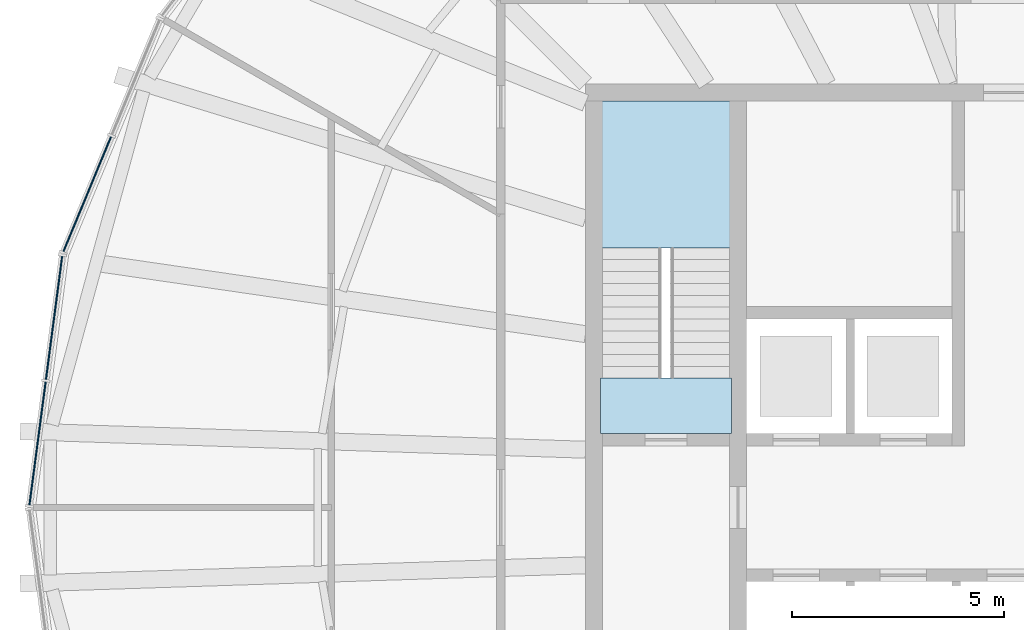
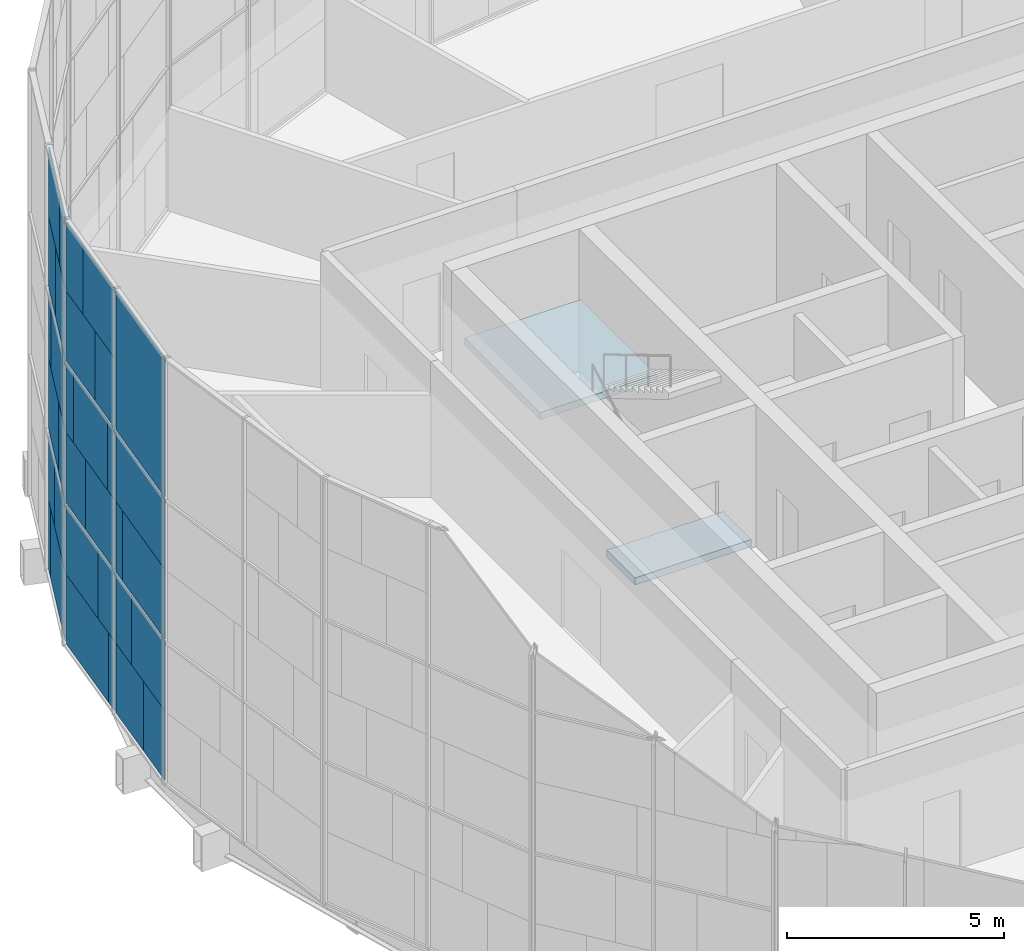
# One storey, part 12 of 23: 34 plates, 2 slabs, 3 elements without a shape of their own.
"""IFC4 building model written with IfcOpenShell, lengths in metres."""

from ifc_helpers import new_model, si_unit, direction, frame, origin, origin_2d, place, context, subcontext, project, spatial, polyline, rectangle, outline, extrude, material, layer, layer_set, type_object, element, aggregate, save


model = new_model("IFC4")

# Units and contexts
model_context = context("Model", 3, precision=1e-05, world=origin(), true_north=direction((0.0, 1.0)))
body_context = subcontext(model_context, "Body", "Model", "MODEL_VIEW")
ifc_project = project(units=[si_unit("LENGTHUNIT", "METRE"), si_unit("AREAUNIT", "SQUARE_METRE"), si_unit("VOLUMEUNIT", "CUBIC_METRE"), si_unit("PLANEANGLEUNIT", "RADIAN"), si_unit("MASSUNIT", "GRAM", prefix="KILO")], contexts=[model_context])

# Site, building, storey
site_placement = place(None, origin())
site = spatial("IfcSite", under=ifc_project, at=site_placement, CompositionType="ELEMENT")
building_placement = place(site_placement, origin())
building = spatial("IfcBuilding", under=site, at=building_placement, Name="Golbaran Civic Tower", CompositionType="ELEMENT")
storey_placement = place(building_placement, frame((0.0, 0.0, 220.0)))
storey = spatial("IfcBuildingStorey", under=building, at=storey_placement, Name="L53", CompositionType="ELEMENT", Elevation=220.0)

# Curtain wall, plates
ifc_material_1 = material(Name="Aluminium and glass", Category="aluminium")
curtain_wall_type = type_object("IfcCurtainWallType", Name="INNER SKIN CURTAIN WALL EXECUTIVE", PredefinedType="NOTDEFINED", material=ifc_material_1)
curtain_wall_1_placement = place(storey_placement, origin())
curtain_wall_1 = element("IfcCurtainWall", 1, at=curtain_wall_1_placement, inside=storey, type_object=curtain_wall_type, Name="Inner skin L53 facet 11 CW2", ObjectType="INNER SKIN", PredefinedType="USERDEFINED")
ifc_material_2 = material(Name="Clear insulating glass", Category="glass")
ifc_layer_1 = layer(ifc_material_2, 0.031982421875, Name="Clear insulating glass")
ifc_layer_set_1 = layer_set([ifc_layer_1], Name="Clear insulating glass")
plate_type_1 = type_object("IfcPlateType", Name="INNER SKIN CURTAIN WALL EXECUTIVE GLAZED PANEL", PredefinedType="CURTAIN_PANEL", material=ifc_layer_set_1)
plate_1_placement = place(storey_placement, frame((-21.8388671875, 7.21142578125, 0.06005859375), z_axis=(0.0, 0.0, 1.0), x_axis=(-0.382683432317, -0.923879532531, 0.0)))
plate_1 = element("IfcPlate", 2, at=plate_1_placement, type_object=plate_type_1, Name="CW2 panel 2.1 part 2", PredefinedType="CURTAIN_PANEL", context=body_context, shape_type="SweptSolid", body=[
    extrude(rectangle(XDim=2.529541015625, YDim=0.031982421875, at=origin_2d()), origin(), (0.0, 0.0, 1.0), 1.955078125),
])
plate_2_placement = place(storey_placement, frame((-21.961181640625, 6.915771484375, 2.014892578125), z_axis=(0.0, 0.0, 1.0), x_axis=(-0.382683432317, -0.923879532531, 0.0)))
plate_2 = element("IfcPlate", 3, at=plate_2_placement, type_object=plate_type_1, Name="CW2 panel 2.1 part 4", PredefinedType="CURTAIN_PANEL", context=body_context, shape_type="SweptSolid", body=[
    extrude(rectangle(XDim=1.8896484375, YDim=0.031982421875, at=origin_2d()), origin(), (0.0, 0.0, 1.0), 1.955078125),
])
plate_3_placement = place(storey_placement, frame((-22.104736328125, 6.5693359375, 4.02978515625), z_axis=(0.0, 0.0, 1.0), x_axis=(-0.382683432317, -0.923879532531, 0.0)))
plate_3 = element("IfcPlate", 4, at=plate_3_placement, type_object=plate_type_1, Name="CW2 panel 2.2 part 2", PredefinedType="CURTAIN_PANEL", context=body_context, shape_type="SweptSolid", body=[
    extrude(rectangle(XDim=1.1396484375, YDim=0.031982421875, at=origin_2d()), origin(), (0.0, 0.0, 1.0), 1.969970703125),
])
plate_4_placement = place(storey_placement, frame((-21.29150390625, 8.532958984375, 6.0), z_axis=(0.0, 0.0, 1.0), x_axis=(-0.382683432317, -0.923879532531, 0.0)))
plate_4 = element("IfcPlate", 5, at=plate_4_placement, type_object=plate_type_1, Name="CW2 panel 2.2 part 3", PredefinedType="CURTAIN_PANEL", context=body_context, shape_type="SweptSolid", body=[
    extrude(rectangle(XDim=0.468994140625, YDim=0.031982421875, at=origin_2d()), origin(), (0.0, 0.0, 1.0), 1.969970703125),
])
plate_5_placement = place(storey_placement, frame((-22.243896484375, 6.233154296875, 6.0), z_axis=(0.0, 0.0, 1.0), x_axis=(-0.382683432317, -0.923879532531, 0.0)))
plate_5 = element("IfcPlate", 6, at=plate_5_placement, type_object=plate_type_1, Name="CW2 panel 2.2 part 5", PredefinedType="CURTAIN_PANEL", context=body_context, shape_type="SweptSolid", body=[
    extrude(rectangle(XDim=0.41162109375, YDim=0.031982421875, at=origin_2d()), origin(), (0.0, 0.0, 1.0), 1.969970703125),
])
plate_6_placement = place(storey_placement, frame((-21.434814453125, 8.1865234375, 8.030029296875), z_axis=(0.0, 0.0, 1.0), x_axis=(-0.382683432317, -0.923879532531, 0.0)))
plate_6 = element("IfcPlate", 7, at=plate_6_placement, type_object=plate_type_1, Name="CW2 panel 2.3 part 1", PredefinedType="CURTAIN_PANEL", context=body_context, shape_type="SweptSolid", body=[
    extrude(rectangle(XDim=1.218994140625, YDim=0.031982421875, at=origin_2d()), origin(), (0.0, 0.0, 1.0), 1.955078125),
])
plate_7_placement = place(storey_placement, frame((-21.572998046875, 7.85302734375, 9.98486328125), z_axis=(0.0, 0.0, 1.0), x_axis=(-0.382683432317, -0.923879532531, 0.0)))
plate_7 = element("IfcPlate", 8, at=plate_7_placement, type_object=plate_type_1, Name="CW2 panel 2.3 part 3", PredefinedType="CURTAIN_PANEL", context=body_context, shape_type="SweptSolid", body=[
    extrude(rectangle(XDim=1.94091796875, YDim=0.031982421875, at=origin_2d()), origin(), (0.0, 0.0, 1.0), 1.955078125),
])

curtain_wall_2_placement = place(storey_placement, origin())
curtain_wall_2 = element("IfcCurtainWall", 9, at=curtain_wall_2_placement, inside=storey, type_object=curtain_wall_type, Name="Inner skin L53 facet 12 CW2", ObjectType="INNER SKIN", PredefinedType="USERDEFINED")
plate_8_placement = place(storey_placement, frame((-22.5185546875, 4.6748046875, 0.06005859375), z_axis=(0.0, 0.0, 1.0), x_axis=(-0.130526192289, -0.991444861365, 0.0)))
plate_8 = element("IfcPlate", 10, at=plate_8_placement, type_object=plate_type_1, Name="CW2 panel 1.1 part 1", PredefinedType="CURTAIN_PANEL", context=body_context, shape_type="SweptSolid", body=[
    extrude(rectangle(XDim=2.528076171875, YDim=0.031982421875, at=origin_2d()), origin(), (0.0, 0.0, 1.0), 1.955078125),
])
plate_9_placement = place(storey_placement, frame((-22.476806640625, 4.99169921875, 2.014892578125), z_axis=(0.0, 0.0, 1.0), x_axis=(-0.130526192289, -0.991444861365, 0.0)))
plate_9 = element("IfcPlate", 11, at=plate_9_placement, type_object=plate_type_1, Name="CW2 panel 1.1 part 3", PredefinedType="CURTAIN_PANEL", context=body_context, shape_type="SweptSolid", body=[
    extrude(rectangle(XDim=1.888916015625, YDim=0.031982421875, at=origin_2d()), origin(), (0.0, 0.0, 1.0), 1.955078125),
])
plate_10_placement = place(storey_placement, frame((-22.427978515625, 5.363525390625, 4.02978515625), z_axis=(0.0, 0.0, 1.0), x_axis=(-0.130526192289, -0.991444861365, 0.0)))
plate_10 = element("IfcPlate", 12, at=plate_10_placement, type_object=plate_type_1, Name="CW2 panel 1.2 part 1", PredefinedType="CURTAIN_PANEL", context=body_context, shape_type="SweptSolid", body=[
    extrude(rectangle(XDim=1.138916015625, YDim=0.031982421875, at=origin_2d()), origin(), (0.0, 0.0, 1.0), 1.969970703125),
])
plate_11_placement = place(storey_placement, frame((-22.38037109375, 5.723876953125, 6.0), z_axis=(0.0, 0.0, 1.0), x_axis=(-0.130526192289, -0.991444861365, 0.0)))
plate_11 = element("IfcPlate", 13, at=plate_11_placement, type_object=plate_type_1, Name="CW2 panel 1.2 part 3", PredefinedType="CURTAIN_PANEL", context=body_context, shape_type="SweptSolid", body=[
    extrude(rectangle(XDim=0.412109375, YDim=0.031982421875, at=origin_2d()), origin(), (0.0, 0.0, 1.0), 1.969970703125),
])
plate_12_placement = place(storey_placement, frame((-22.705322265625, 3.255859375, 6.0), z_axis=(0.0, 0.0, 1.0), x_axis=(-0.130526192289, -0.991444861365, 0.0)))
plate_12 = element("IfcPlate", 14, at=plate_12_placement, type_object=plate_type_1, Name="CW2 panel 1.2 part 5", PredefinedType="CURTAIN_PANEL", context=body_context, shape_type="SweptSolid", body=[
    extrude(rectangle(XDim=0.468505859375, YDim=0.031982421875, at=origin_2d()), origin(), (0.0, 0.0, 1.0), 1.969970703125),
])
plate_13_placement = place(storey_placement, frame((-22.656494140625, 3.627685546875, 8.030029296875), z_axis=(0.0, 0.0, 1.0), x_axis=(-0.130526192289, -0.991444861365, 0.0)))
plate_13 = element("IfcPlate", 15, at=plate_13_placement, type_object=plate_type_1, Name="CW2 panel 1.3 part 2", PredefinedType="CURTAIN_PANEL", context=body_context, shape_type="SweptSolid", body=[
    extrude(rectangle(XDim=1.218505859375, YDim=0.031982421875, at=origin_2d()), origin(), (0.0, 0.0, 1.0), 1.955078125),
])
plate_14_placement = place(storey_placement, frame((-22.609130859375, 3.986083984375, 9.98486328125), z_axis=(0.0, 0.0, 1.0), x_axis=(-0.130526192289, -0.991444861365, 0.0)))
plate_14 = element("IfcPlate", 16, at=plate_14_placement, type_object=plate_type_1, Name="CW2 panel 1.3 part 4", PredefinedType="CURTAIN_PANEL", context=body_context, shape_type="SweptSolid", body=[
    extrude(rectangle(XDim=1.941650390625, YDim=0.031982421875, at=origin_2d()), origin(), (0.0, 0.0, 1.0), 1.955078125),
])
plate_15_placement = place(storey_placement, frame((-23.043701171875, 0.686279296875, 0.06005859375), z_axis=(0.0, 0.0, 1.0), x_axis=(-0.130526192289, -0.991444861365, 0.0)))
plate_15 = element("IfcPlate", 17, at=plate_15_placement, type_object=plate_type_1, Name="CW2 panel 2.1 part 2", PredefinedType="CURTAIN_PANEL", context=body_context, shape_type="SweptSolid", body=[
    extrude(rectangle(XDim=1.2646484375, YDim=0.031982421875, at=origin_2d()), origin(), (0.0, 0.0, 1.0), 1.955078125),
])
plate_16_placement = place(storey_placement, frame((-22.99658203125, 1.044189453125, 2.014892578125), z_axis=(0.0, 0.0, 1.0), x_axis=(-0.130526192289, -0.991444861365, 0.0)))
plate_16 = element("IfcPlate", 18, at=plate_16_placement, type_object=plate_type_1, Name="CW2 panel 2.1 part 4", PredefinedType="CURTAIN_PANEL", context=body_context, shape_type="SweptSolid", body=[
    extrude(rectangle(XDim=1.986572265625, YDim=0.031982421875, at=origin_2d()), origin(), (0.0, 0.0, 1.0), 1.955078125),
])
plate_17_placement = place(storey_placement, frame((-22.961181640625, 1.31298828125, 4.02978515625), z_axis=(0.0, 0.0, 1.0), x_axis=(-0.130526192289, -0.991444861365, 0.0)))
plate_17 = element("IfcPlate", 19, at=plate_17_placement, type_object=plate_type_1, Name="CW2 panel 2.2 part 2", PredefinedType="CURTAIN_PANEL", context=body_context, shape_type="SweptSolid", body=[
    extrude(rectangle(XDim=2.528564453125, YDim=0.031982421875, at=origin_2d()), origin(), (0.0, 0.0, 1.0), 1.969970703125),
])
plate_18_placement = place(storey_placement, frame((-22.93505859375, 1.51171875, 6.0), z_axis=(0.0, 0.0, 1.0), x_axis=(-0.130526192289, -0.991444861365, 0.0)))
plate_18 = element("IfcPlate", 20, at=plate_18_placement, type_object=plate_type_1, Name="CW2 panel 2.2 part 3", PredefinedType="CURTAIN_PANEL", context=body_context, shape_type="SweptSolid", body=[
    extrude(rectangle(XDim=2.9296875, YDim=0.031982421875, at=origin_2d()), origin(), (0.0, 0.0, 1.0), 1.969970703125),
])
plate_19_placement = place(storey_placement, frame((-22.93505859375, 1.51171875, 8.0302734375), z_axis=(0.0, 0.0, 1.0), x_axis=(-0.130526192289, -0.991444861365, 0.0)))
plate_19 = element("IfcPlate", 21, at=plate_19_placement, type_object=plate_type_1, Name="CW2 panel 2.3", PredefinedType="CURTAIN_PANEL", context=body_context, shape_type="SweptSolid", body=[
    extrude(rectangle(XDim=2.9296875, YDim=0.031982421875, at=origin_2d()), origin(), (0.0, 0.0, 1.0), 3.909912109375),
])

# Plate
ifc_material_3 = material(Name="Aluminium faced opaque infill panel", Category="aluminium")
ifc_layer_2 = layer(ifc_material_3, 0.031982421875, Name="Aluminium faced opaque infill panel")
ifc_layer_set_2 = layer_set([ifc_layer_2], Name="Aluminium faced opaque infill panel")
plate_type_2 = type_object("IfcPlateType", Name="INNER SKIN CURTAIN WALL EXECUTIVE OPAQUE INFILL PANEL", PredefinedType="CURTAIN_PANEL", material=ifc_layer_set_2)
plate_20_placement = place(storey_placement, frame((-21.278076171875, 8.564697265625, 0.06005859375), z_axis=(0.0, 0.0, 1.0), x_axis=(-0.382683432317, -0.923879532531, 0.0)))
plate_20 = element("IfcPlate", 22, at=plate_20_placement, type_object=plate_type_2, Name="CW2 infill panel 2.1 part 1", PredefinedType="CURTAIN_PANEL", context=body_context, shape_type="SweptSolid", body=[
    extrude(rectangle(XDim=0.39990234375, YDim=0.031982421875, at=origin_2d()), origin(), (0.0, 0.0, 1.0), 1.955078125),
])

plate_21_placement = place(storey_placement, frame((-21.400634765625, 8.26904296875, 2.014892578125), z_axis=(0.0, 0.0, 1.0), x_axis=(-0.382683432317, -0.923879532531, 0.0)))
plate_21 = element("IfcPlate", 23, at=plate_21_placement, type_object=plate_type_2, Name="CW2 infill panel 2.1 part 3", PredefinedType="CURTAIN_PANEL", context=body_context, shape_type="SweptSolid", body=[
    extrude(rectangle(XDim=1.0400390625, YDim=0.031982421875, at=origin_2d()), origin(), (0.0, 0.0, 1.0), 1.955078125),
])

plate_22_placement = place(storey_placement, frame((-21.544189453125, 7.922607421875, 4.02978515625), z_axis=(0.0, 0.0, 1.0), x_axis=(-0.382683432317, -0.923879532531, 0.0)))
plate_22 = element("IfcPlate", 24, at=plate_22_placement, type_object=plate_type_2, Name="CW2 infill panel 2.2 part 1", PredefinedType="CURTAIN_PANEL", context=body_context, shape_type="SweptSolid", body=[
    extrude(rectangle(XDim=1.7900390625, YDim=0.031982421875, at=origin_2d()), origin(), (0.0, 0.0, 1.0), 1.969970703125),
])

plate_23_placement = place(storey_placement, frame((-21.773193359375, 7.36962890625, 6.0), z_axis=(0.0, 0.0, 1.0), x_axis=(-0.382683432317, -0.923879532531, 0.0)))
plate_23 = element("IfcPlate", 25, at=plate_23_placement, type_object=plate_type_2, Name="CW2 infill panel 2.2 part 4", PredefinedType="CURTAIN_PANEL", context=body_context, shape_type="SweptSolid", body=[
    extrude(rectangle(XDim=2.049072265625, YDim=0.031982421875, at=origin_2d()), origin(), (0.0, 0.0, 1.0), 1.969970703125),
])

plate_24_placement = place(storey_placement, frame((-21.995361328125, 6.833251953125, 8.030029296875), z_axis=(0.0, 0.0, 1.0), x_axis=(-0.382683432317, -0.923879532531, 0.0)))
plate_24 = element("IfcPlate", 26, at=plate_24_placement, type_object=plate_type_2, Name="CW2 infill panel 2.3 part 2", PredefinedType="CURTAIN_PANEL", context=body_context, shape_type="SweptSolid", body=[
    extrude(rectangle(XDim=1.710693359375, YDim=0.031982421875, at=origin_2d()), origin(), (0.0, 0.0, 1.0), 1.955078125),
])

plate_25_placement = place(storey_placement, frame((-22.133544921875, 6.49951171875, 9.98486328125), z_axis=(0.0, 0.0, 1.0), x_axis=(-0.382683432317, -0.923879532531, 0.0)))
plate_25 = element("IfcPlate", 27, at=plate_25_placement, type_object=plate_type_2, Name="CW2 infill panel 2.3 part 4", PredefinedType="CURTAIN_PANEL", context=body_context, shape_type="SweptSolid", body=[
    extrude(rectangle(XDim=0.988525390625, YDim=0.031982421875, at=origin_2d()), origin(), (0.0, 0.0, 1.0), 1.955078125),
])

aggregate(curtain_wall_1, [plate_20, plate_1, plate_21, plate_2, plate_22, plate_3, plate_4, plate_23, plate_5, plate_6, plate_24, plate_7, plate_25])

plate_26_placement = place(storey_placement, frame((-22.709716796875, 3.22265625, 0.06005859375), z_axis=(0.0, 0.0, 1.0), x_axis=(-0.130526192289, -0.991444861365, 0.0)))
plate_26 = element("IfcPlate", 28, at=plate_26_placement, type_object=plate_type_2, Name="CW2 infill panel 1.1 part 2", PredefinedType="CURTAIN_PANEL", context=body_context, shape_type="SweptSolid", body=[
    extrude(rectangle(XDim=0.401611328125, YDim=0.031982421875, at=origin_2d()), origin(), (0.0, 0.0, 1.0), 1.955078125),
])

plate_27_placement = place(storey_placement, frame((-22.66796875, 3.539306640625, 2.014892578125), z_axis=(0.0, 0.0, 1.0), x_axis=(-0.130526192289, -0.991444861365, 0.0)))
plate_27 = element("IfcPlate", 29, at=plate_27_placement, type_object=plate_type_2, Name="CW2 infill panel 1.1 part 4", PredefinedType="CURTAIN_PANEL", context=body_context, shape_type="SweptSolid", body=[
    extrude(rectangle(XDim=1.04052734375, YDim=0.031982421875, at=origin_2d()), origin(), (0.0, 0.0, 1.0), 1.955078125),
])

plate_28_placement = place(storey_placement, frame((-22.619140625, 3.9111328125, 4.02978515625), z_axis=(0.0, 0.0, 1.0), x_axis=(-0.130526192289, -0.991444861365, 0.0)))
plate_28 = element("IfcPlate", 30, at=plate_28_placement, type_object=plate_type_2, Name="CW2 infill panel 1.2 part 2", PredefinedType="CURTAIN_PANEL", context=body_context, shape_type="SweptSolid", body=[
    extrude(rectangle(XDim=1.79052734375, YDim=0.031982421875, at=origin_2d()), origin(), (0.0, 0.0, 1.0), 1.969970703125),
])

plate_29_placement = place(storey_placement, frame((-22.541015625, 4.50390625, 6.0), z_axis=(0.0, 0.0, 1.0), x_axis=(-0.130526192289, -0.991444861365, 0.0)))
plate_29 = element("IfcPlate", 31, at=plate_29_placement, type_object=plate_type_2, Name="CW2 infill panel 1.2 part 4", PredefinedType="CURTAIN_PANEL", context=body_context, shape_type="SweptSolid", body=[
    extrude(rectangle(XDim=2.049072265625, YDim=0.031982421875, at=origin_2d()), origin(), (0.0, 0.0, 1.0), 1.969970703125),
])

plate_30_placement = place(storey_placement, frame((-22.46533203125, 5.079833984375, 8.030029296875), z_axis=(0.0, 0.0, 1.0), x_axis=(-0.130526192289, -0.991444861365, 0.0)))
plate_30 = element("IfcPlate", 32, at=plate_30_placement, type_object=plate_type_2, Name="CW2 infill panel 1.3 part 1", PredefinedType="CURTAIN_PANEL", context=body_context, shape_type="SweptSolid", body=[
    extrude(rectangle(XDim=1.7109375, YDim=0.031982421875, at=origin_2d()), origin(), (0.0, 0.0, 1.0), 1.955078125),
])

plate_31_placement = place(storey_placement, frame((-22.41796875, 5.438232421875, 9.98486328125), z_axis=(0.0, 0.0, 1.0), x_axis=(-0.130526192289, -0.991444861365, 0.0)))
plate_31 = element("IfcPlate", 33, at=plate_31_placement, type_object=plate_type_2, Name="CW2 infill panel 1.3 part 3", PredefinedType="CURTAIN_PANEL", context=body_context, shape_type="SweptSolid", body=[
    extrude(rectangle(XDim=0.988037109375, YDim=0.031982421875, at=origin_2d()), origin(), (0.0, 0.0, 1.0), 1.955078125),
])

plate_32_placement = place(storey_placement, frame((-22.8525390625, 2.138671875, 0.06005859375), z_axis=(0.0, 0.0, 1.0), x_axis=(-0.130526192289, -0.991444861365, 0.0)))
plate_32 = element("IfcPlate", 34, at=plate_32_placement, type_object=plate_type_2, Name="CW2 infill panel 2.1 part 1", PredefinedType="CURTAIN_PANEL", context=body_context, shape_type="SweptSolid", body=[
    extrude(rectangle(XDim=1.6650390625, YDim=0.031982421875, at=origin_2d()), origin(), (0.0, 0.0, 1.0), 1.955078125),
])

plate_33_placement = place(storey_placement, frame((-22.805419921875, 2.49658203125, 2.014892578125), z_axis=(0.0, 0.0, 1.0), x_axis=(-0.130526192289, -0.991444861365, 0.0)))
plate_33 = element("IfcPlate", 35, at=plate_33_placement, type_object=plate_type_2, Name="CW2 infill panel 2.1 part 3", PredefinedType="CURTAIN_PANEL", context=body_context, shape_type="SweptSolid", body=[
    extrude(rectangle(XDim=0.943115234375, YDim=0.031982421875, at=origin_2d()), origin(), (0.0, 0.0, 1.0), 1.955078125),
])

plate_34_placement = place(storey_placement, frame((-22.77001953125, 2.76513671875, 4.02978515625), z_axis=(0.0, 0.0, 1.0), x_axis=(-0.130526192289, -0.991444861365, 0.0)))
plate_34 = element("IfcPlate", 36, at=plate_34_placement, type_object=plate_type_2, Name="CW2 infill panel 2.2 part 1", PredefinedType="CURTAIN_PANEL", context=body_context, shape_type="SweptSolid", body=[
    extrude(rectangle(XDim=0.40087890625, YDim=0.031982421875, at=origin_2d()), origin(), (0.0, 0.0, 1.0), 1.969970703125),
])

aggregate(curtain_wall_2, [plate_8, plate_26, plate_9, plate_27, plate_10, plate_28, plate_11, plate_29, plate_12, plate_30, plate_13, plate_31, plate_14, plate_32, plate_15, plate_33, plate_16, plate_34, plate_17, plate_18, plate_19])

# Stair, slab
ifc_material_4 = material(Name="Concrete C35/45", Category="concrete")
stair_type = type_object("IfcStairType", Name="EXIT STAIR 3000 x 7850, 4000 RISE", PredefinedType="HALF_TURN_STAIR", material=ifc_material_4)
stair_placement = place(storey_placement, origin())
stair = element("IfcStair", 37, at=stair_placement, inside=storey, type_object=stair_type, Name="Stair S1 L53", PredefinedType="HALF_TURN_STAIR")
ifc_layer_3 = layer(ifc_material_4, 0.199951171875, Name="Concrete C35/45")
ifc_layer_set_3 = layer_set([ifc_layer_3], Name="Concrete C35/45")
slab_type = type_object("IfcSlabType", Name="STAIR LANDING 200", PredefinedType="LANDING", material=ifc_layer_set_3)
slab_1_placement = place(storey_placement, frame((0.0, 0.0, 1.800048828125)))
slab_1 = element("IfcSlab", 38, at=slab_1_placement, type_object=slab_type, Name="ST30078-40 landing 1", PredefinedType="LANDING", context=body_context, shape_type="SweptSolid", body=[
    extrude(outline(polyline([(-9.64990234375, 6.125), (-9.64990234375, 9.60009765625), (-6.550048828125, 9.60009765625), (-6.550048828125, 6.125), (-9.64990234375, 6.125)])), origin(), (0.0, 0.0, 1.0), 0.199951171875),
])
aggregate(stair, [slab_1])

# Slab
slab_2_placement = place(storey_placement, frame((0.0, 0.0, -0.199951171875)))
element("IfcSlab", 39, at=slab_2_placement, inside=storey, type_object=slab_type, Name="Stair S1 floor landing L53", PredefinedType="LANDING", context=body_context, shape_type="SweptSolid", body=[
    extrude(outline(polyline([(-9.64990234375, 1.75), (-9.64990234375, 3.054931640625), (-6.550048828125, 3.054931640625), (-6.550048828125, 1.75), (-9.64990234375, 1.75)])), origin(), (0.0, 0.0, 1.0), 0.199951171875),
])

save(model, "model.ifc")
